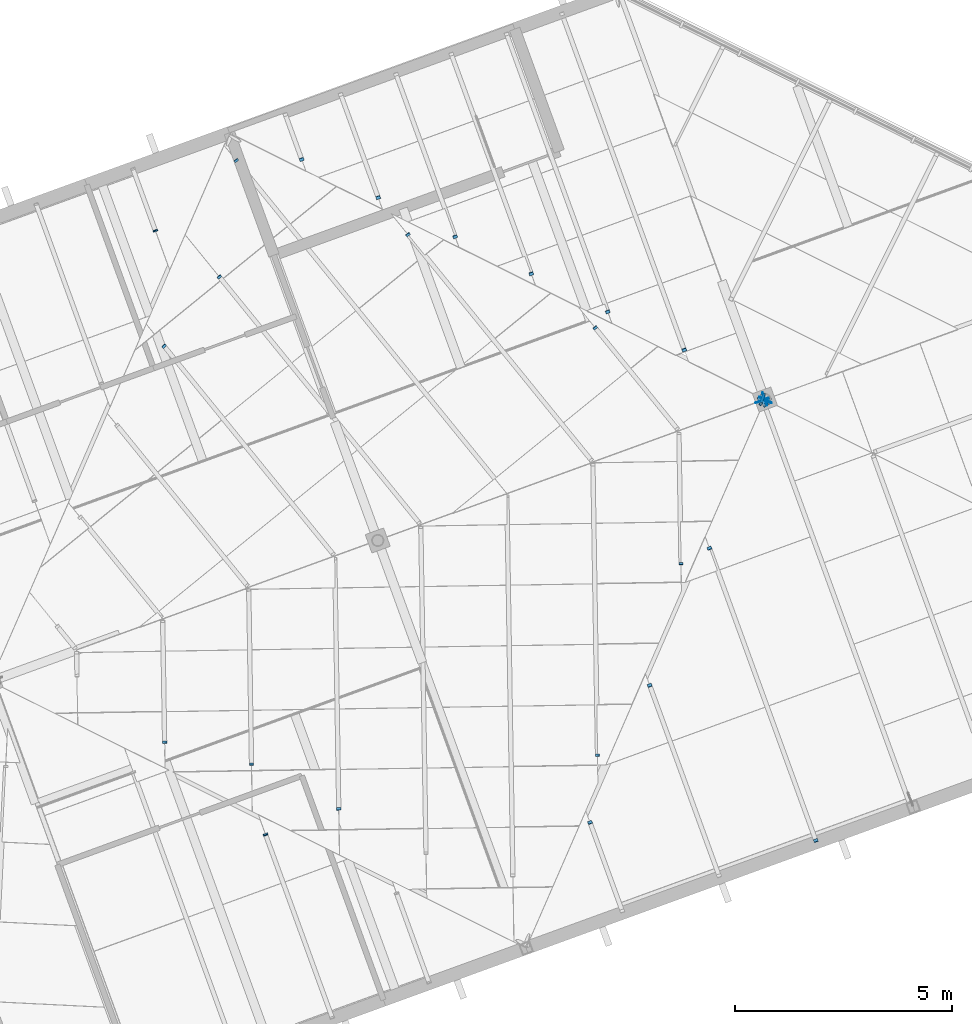
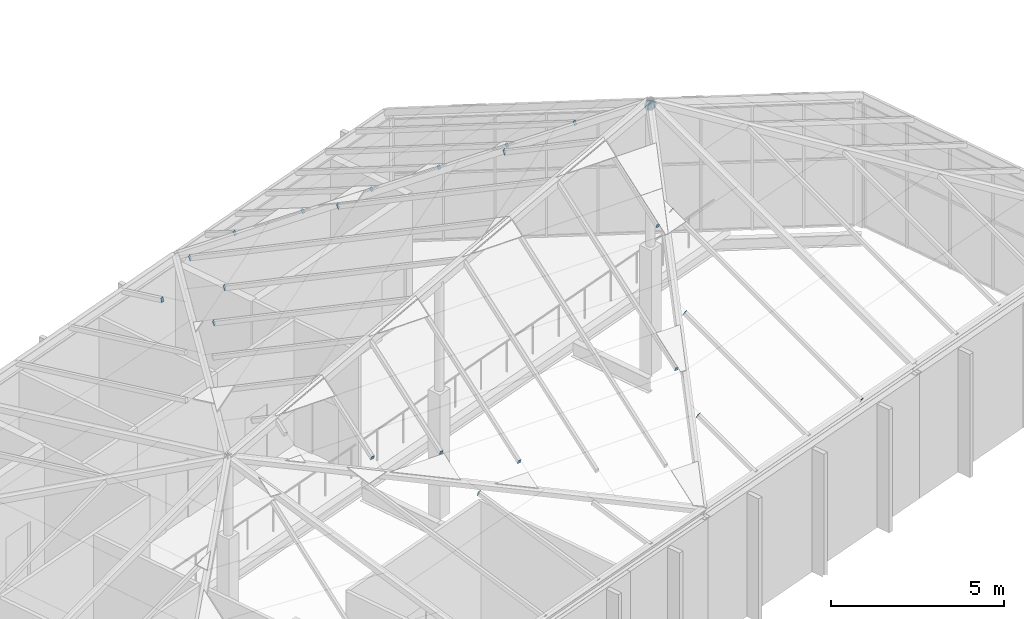
# One storey, part 68 of 95: 29 discrete accessories.
"""IFC4 building model written with IfcOpenShell, lengths in metres."""

from ifc_helpers import new_model, si_unit, direction, frame, origin, origin_2d, place, context, subcontext, project, spatial, rectangle, circle, extrude, material, layer, layer_set, type_object, element, save


model = new_model("IFC4")

# Units and contexts
model_context = context("Model", 3, precision=1e-05, world=origin(), true_north=direction((0.0, 1.0)))
body_context = subcontext(model_context, "Body", "Model", "MODEL_VIEW")
ifc_project = project(units=[si_unit("LENGTHUNIT", "METRE"), si_unit("AREAUNIT", "SQUARE_METRE"), si_unit("VOLUMEUNIT", "CUBIC_METRE"), si_unit("PLANEANGLEUNIT", "RADIAN"), si_unit("MASSUNIT", "GRAM", prefix="KILO")], contexts=[model_context])

# Site, building, storey
site_placement = place(None, origin())
site = spatial("IfcSite", under=ifc_project, at=site_placement, CompositionType="ELEMENT")
building_placement = place(site_placement, origin())
building = spatial("IfcBuilding", under=site, at=building_placement, Name="Windward Yard Aquatics Centre", CompositionType="ELEMENT")
storey_placement = place(building_placement, frame((0.0, 0.0, 9.39990234375)))
storey = spatial("IfcBuildingStorey", under=building, at=storey_placement, Name="L02", CompositionType="ELEMENT", Elevation=9.39990234375)

# Discrete accessories
ifc_material = material(Name="Steel S355", Category="steel")
ifc_layer_1 = layer(ifc_material, 0.010009765625)
ifc_layer_set_1 = layer_set([ifc_layer_1], Name="End cap plate 10 mm RHS100x150x6")
discrete_accessory_type_1 = type_object("IfcDiscreteAccessoryType", Name="End cap plate 10 mm RHS100x150x6", PredefinedType="USERDEFINED", material=ifc_layer_set_1)
for number, where, z_axis, x_axis, name in (
    (1, (20.872314453125, 99.14404296875, 5.011474609375), (0.337471887481, -0.915995123164, 0.216946213381), (0.938343116817, 0.345705358827, 0.0), "End cap"),
    (2, (25.100830078125, 85.807373046875, 5.89501953125), (-0.024470439212, 0.929876690042, 0.367056588174), (-0.999653919353, -0.026306682088, 0.0), "End cap"),
    (3, (31.010498046875, 96.906494140625, 8.030517578125), (0.586939185653, -0.733673982067, 0.342381191631), (0.780868809443, 0.624695047554, 0.0), "End cap"),
):
    element("IfcDiscreteAccessory", number, at=place(storey_placement, frame(where, z_axis=z_axis, x_axis=x_axis)), inside=storey, type_object=discrete_accessory_type_1, Name=name, ObjectType="END CAP", PredefinedType="USERDEFINED", context=body_context, shape_type="SweptSolid", body=[
        extrude(rectangle(XDim=0.10009765625, YDim=0.14990234375, at=origin_2d()), origin(), (0.0, 0.0, 1.0), 0.010009765625),
    ])
discrete_accessory_1_placement = place(storey_placement, frame((30.8955078125, 85.494140625, 5.69970703125), z_axis=(-0.323587388533, 0.846305477701, 0.42315273885), x_axis=(-0.934051834851, -0.357137466267, 0.0)))
element("IfcDiscreteAccessory", 4, at=discrete_accessory_1_placement, inside=storey, type_object=discrete_accessory_type_1, Name="End cap", ObjectType="END CAP", PredefinedType="USERDEFINED", context=body_context, shape_type="SweptSolid", body=[
    extrude(rectangle(XDim=0.10009765625, YDim=0.14990234375, at=origin_2d()), origin(), (0.0, 0.0, 1.0), 0.009765625),
])
for number, where, z_axis, x_axis, name in (
    (5, (33.06494140625, 96.397705078125, 8.644287109375), (0.291643812566, -0.850627786651, 0.437465718849), (0.945945945946, 0.324324324324, 0.0), "End cap"),
    (6, (21.0859375, 87.343017578125, 6.5126953125), (-0.024470439212, 0.929876690042, 0.367056588174), (-0.999653919353, -0.026306682088, 0.0), "End cap"),
    (7, (29.537109375, 98.154296875, 7.258544921875), (0.291643812566, -0.850627786651, 0.437465718849), (0.945945945946, 0.324324324324, 0.0), "End cap"),
    (8, (26.6943359375, 99.055419921875, 6.335205078125), (0.586939185653, -0.733673982067, 0.342381191631), (0.780868809443, 0.624695047554, 0.0), "End cap"),
    (9, (27.7822265625, 99.00732421875, 6.578857421875), (0.313640236425, -0.844416021143, 0.434271096588), (0.93742527201, 0.348186529604, 0.0), "End cap"),
    (10, (36.10205078125, 85.0771484375, 4.645751953125), (-0.320134901826, 0.837275897082, 0.44326371022), (-0.934051834851, -0.357137466267, 0.0), "End cap"),
    (11, (33.648681640625, 91.8173828125, 8.124755859375), (-0.313640236425, 0.844416021143, 0.434271096588), (-0.93742527201, -0.348186529604, 0.0), "End cap"),
    (12, (31.30078125, 97.27587890625, 7.951416015625), (0.313640236425, -0.844416021143, 0.434271096588), (0.93742527201, 0.348186529604, 0.0), "End cap"),
):
    element("IfcDiscreteAccessory", number, at=place(storey_placement, frame(where, z_axis=z_axis, x_axis=x_axis)), inside=storey, type_object=discrete_accessory_type_1, Name=name, ObjectType="END CAP", PredefinedType="USERDEFINED", context=body_context, shape_type="SweptSolid", body=[
        extrude(rectangle(XDim=0.10009765625, YDim=0.14990234375, at=origin_2d()), origin(), (0.0, 0.0, 1.0), 0.010009765625),
    ])
discrete_accessory_2_placement = place(storey_placement, frame((32.991943359375, 91.462158203125, 8.030517578125), z_axis=(0.0, 0.938343116817, 0.345705358827), x_axis=(-1.0, 0.0, 0.0)))
element("IfcDiscreteAccessory", 13, at=discrete_accessory_2_placement, inside=storey, type_object=discrete_accessory_type_1, Name="End cap", ObjectType="END CAP", PredefinedType="USERDEFINED", context=body_context, shape_type="SweptSolid", body=[
    extrude(rectangle(XDim=0.10009765625, YDim=0.14990234375, at=origin_2d()), origin(), (0.0, 0.0, 1.0), 0.009765625),
])
for number, where, z_axis, x_axis, name in (
    (14, (22.73583984375, 100.76416015625, 4.85888671875), (0.586939185653, -0.733673982067, 0.342381191631), (0.780868809443, 0.624695047554, 0.0), "End cap"),
    (15, (21.071533203125, 96.484619140625, 5.736328125), (0.592276723684, -0.715667707785, 0.370172952302), (0.770394321125, 0.637567714034, 0.0), "End cap"),
):
    element("IfcDiscreteAccessory", number, at=place(storey_placement, frame(where, z_axis=z_axis, x_axis=x_axis)), inside=storey, type_object=discrete_accessory_type_1, Name=name, ObjectType="END CAP", PredefinedType="USERDEFINED", context=body_context, shape_type="SweptSolid", body=[
        extrude(rectangle(XDim=0.10009765625, YDim=0.14990234375, at=origin_2d()), origin(), (0.0, 0.0, 1.0), 0.010009765625),
    ])
discrete_accessory_3_placement = place(storey_placement, frame((23.414306640625, 85.2158203125, 5.740478515625), z_axis=(-0.32120803722, 0.914207490549, 0.247083105554), x_axis=(-0.943460139651, -0.331485995013, 0.0)))
element("IfcDiscreteAccessory", 16, at=discrete_accessory_3_placement, inside=storey, type_object=discrete_accessory_type_1, Name="End cap", ObjectType="END CAP", PredefinedType="USERDEFINED", context=body_context, shape_type="SweptSolid", body=[
    extrude(rectangle(XDim=0.10009765625, YDim=0.14990234375, at=origin_2d()), origin(), (0.0, 0.0, 1.0), 0.009765625),
])
discrete_accessory_4_placement = place(storey_placement, frame((32.27197265625, 88.656005859375, 6.912353515625), z_axis=(-0.320134901826, 0.837275897082, 0.44326371022), x_axis=(-0.934051834851, -0.357137466267, 0.0)))
element("IfcDiscreteAccessory", 17, at=discrete_accessory_4_placement, inside=storey, type_object=discrete_accessory_type_1, Name="End cap", ObjectType="END CAP", PredefinedType="USERDEFINED", context=body_context, shape_type="SweptSolid", body=[
    extrude(rectangle(XDim=0.10009765625, YDim=0.14990234375, at=origin_2d()), origin(), (0.0, 0.0, 1.0), 0.010009765625),
])
discrete_accessory_5_placement = place(storey_placement, frame((26.00927734375, 99.91064453125, 5.873046875), z_axis=(0.297775000191, -0.843695833875, 0.446662500287), x_axis=(0.942990333583, 0.332820117735, 0.0)))
element("IfcDiscreteAccessory", 18, at=discrete_accessory_5_placement, inside=storey, type_object=discrete_accessory_type_1, Name="End cap", ObjectType="END CAP", PredefinedType="USERDEFINED", context=body_context, shape_type="SweptSolid", body=[
    extrude(rectangle(XDim=0.10009765625, YDim=0.14990234375, at=origin_2d()), origin(), (0.0, 0.0, 1.0), 0.009765625),
])
for number, where, z_axis, x_axis, name in (
    (19, (24.2451171875, 100.789306640625, 5.179931640625), (0.320134901826, -0.837275897082, 0.44326371022), (0.934051834851, 0.357137466267, 0.0), "End cap"),
    (20, (31.067138671875, 87.041748046875, 6.335205078125), (-0.024685714931, 0.938057167361, 0.345600009028), (-0.999653919353, -0.026306682088, 0.0), "End cap"),
):
    element("IfcDiscreteAccessory", number, at=place(storey_placement, frame(where, z_axis=z_axis, x_axis=x_axis)), inside=storey, type_object=discrete_accessory_type_1, Name=name, ObjectType="END CAP", PredefinedType="USERDEFINED", context=body_context, shape_type="SweptSolid", body=[
        extrude(rectangle(XDim=0.10009765625, YDim=0.14990234375, at=origin_2d()), origin(), (0.0, 0.0, 1.0), 0.010009765625),
    ])
discrete_accessory_6_placement = place(storey_placement, frame((22.34521484375, 98.0810546875, 5.568115234375), z_axis=(0.597577253655, -0.722072514833, 0.348586731299), x_axis=(0.770394321125, 0.637567714034, 0.0)))
element("IfcDiscreteAccessory", 21, at=discrete_accessory_6_placement, inside=storey, type_object=discrete_accessory_type_1, Name="End cap", ObjectType="END CAP", PredefinedType="USERDEFINED", context=body_context, shape_type="SweptSolid", body=[
    extrude(rectangle(XDim=0.10009765625, YDim=0.14990234375, at=origin_2d()), origin(), (0.0, 0.0, 1.0), 0.009765625),
])
discrete_accessory_7_placement = place(storey_placement, frame((23.089111328125, 86.835693359375, 6.3046875), z_axis=(0.0, 0.941194670762, 0.337864753607), x_axis=(-1.0, 0.0, 0.0)))
element("IfcDiscreteAccessory", 22, at=discrete_accessory_7_placement, inside=storey, type_object=discrete_accessory_type_1, Name="End cap", ObjectType="END CAP", PredefinedType="USERDEFINED", context=body_context, shape_type="SweptSolid", body=[
    extrude(rectangle(XDim=0.10009765625, YDim=0.14990234375, at=origin_2d()), origin(), (0.0, 0.0, 1.0), 0.010009765625),
])
ifc_layer_2 = layer(ifc_material, 0.011962890625)
ifc_layer_set_2 = layer_set([ifc_layer_2], Name="Gusset plate 320 mm disc 12 mm, roof frames")
discrete_accessory_type_2 = type_object("IfcDiscreteAccessoryType", Name="Gusset plate 320 mm disc 12 mm, roof frames", PredefinedType="USERDEFINED", material=ifc_layer_set_2)
discrete_accessory_8_placement = place(storey_placement, frame((34.863525390625, 95.2197265625, 9.35546875), z_axis=(-0.346650140872, 0.937994498829, 0.0), x_axis=(-0.937994498829, -0.346650140872, 0.0)))
element("IfcDiscreteAccessory", 23, at=discrete_accessory_8_placement, inside=storey, type_object=discrete_accessory_type_2, Name="Gusset plate", ObjectType="GUSSET PLATE", PredefinedType="USERDEFINED", context=body_context, shape_type="SweptSolid", body=[
    extrude(circle(Radius=0.159912109375, at=origin_2d()), origin(), (0.0, 0.0, 1.0), 0.011962890625),
])
discrete_accessory_9_placement = place(storey_placement, frame((34.865478515625, 95.255859375, 9.351318359375), z_axis=(0.925195684715, -0.321807194684, -0.201129496677), x_axis=(0.328520624941, 0.944496796706, 0.0)))
element("IfcDiscreteAccessory", 24, at=discrete_accessory_9_placement, inside=storey, type_object=discrete_accessory_type_2, Name="Gusset plate", ObjectType="GUSSET PLATE", PredefinedType="USERDEFINED", context=body_context, shape_type="SweptSolid", body=[
    extrude(circle(Radius=0.159912109375, at=origin_2d()), origin(), (0.0, 0.0, 1.0), 0.01220703125),
])
for number, where, z_axis, x_axis, name in (
    (25, (34.9169921875, 95.25927734375, 9.34423828125), (0.937994498829, 0.346650140872, 0.0), (-0.346650140872, 0.937994498829, 0.0), "Gusset plate"),
    (26, (34.937744140625, 95.233154296875, 9.34619140625), (0.447121224623, 0.894242449246, -0.020323692028), (-0.894427191, 0.4472135955, 0.0), "Gusset plate"),
    (27, (34.93115234375, 95.19384765625, 9.3505859375), (-0.431274239229, 0.883085346992, -0.184831816812), (-0.898567515986, -0.438835298505, 0.0), "Gusset plate"),
    (28, (34.88916015625, 95.223876953125, 9.3486328125), (-0.952659211219, -0.243232139035, 0.182424104276), (0.247383245266, -0.968917710624, 0.0), "Gusset plate"),
    (29, (34.89013671875, 95.214599609375, 9.348876953125), (-0.494346484946, -0.84450857845, 0.205977702061), (0.863014469347, -0.505179201569, 0.0), "Gusset plate"),
):
    element("IfcDiscreteAccessory", number, at=place(storey_placement, frame(where, z_axis=z_axis, x_axis=x_axis)), inside=storey, type_object=discrete_accessory_type_2, Name=name, ObjectType="GUSSET PLATE", PredefinedType="USERDEFINED", context=body_context, shape_type="SweptSolid", body=[
        extrude(circle(Radius=0.159912109375, at=origin_2d()), origin(), (0.0, 0.0, 1.0), 0.011962890625),
    ])

save(model, "model.ifc")
